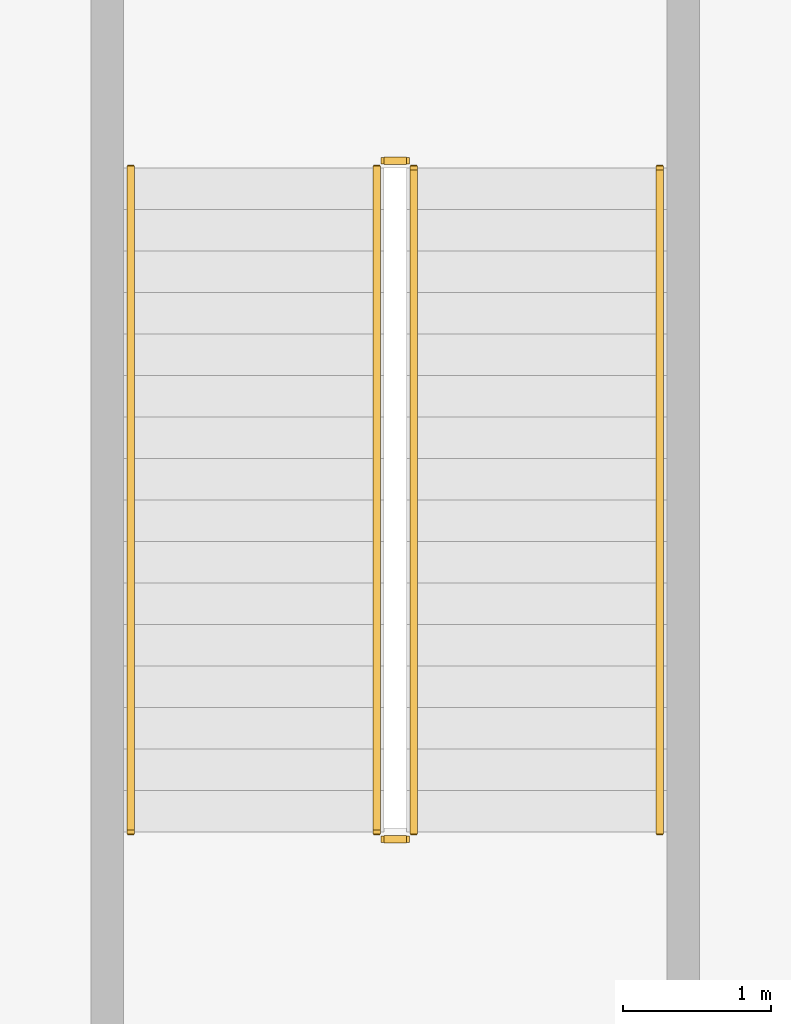
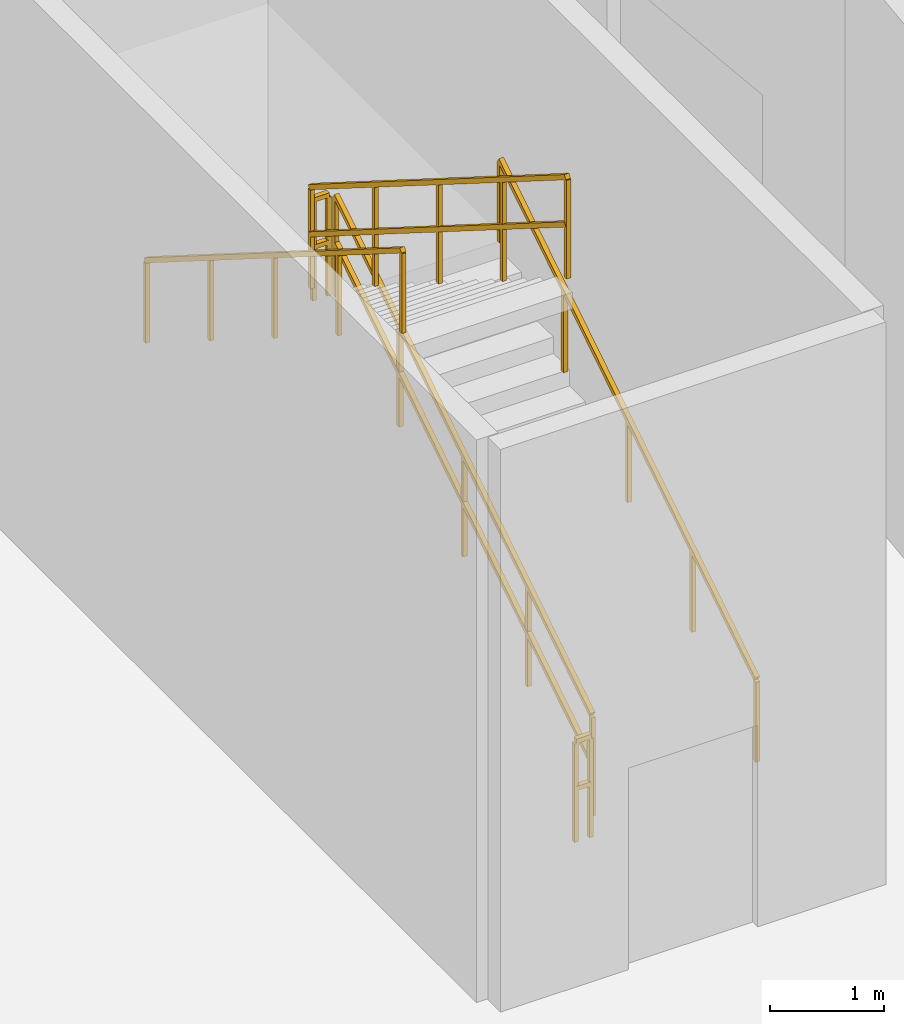
# One storey, part 10 of 10: 6 railings.
"""IFC4 building model written with IfcOpenShell, lengths in metres."""

from ifc_helpers import new_model, si_unit, direction, frame, origin, origin_2d, place, context, subcontext, project, spatial, rectangle, extrude, material, type_object, element, save


model = new_model("IFC4")

# Units and contexts
model_context = context("Model", 3, precision=1e-05, world=origin(), true_north=direction((0.0, 1.0)))
body_context = subcontext(model_context, "Body", "Model", "MODEL_VIEW")
ifc_project = project(units=[si_unit("LENGTHUNIT", "METRE"), si_unit("AREAUNIT", "SQUARE_METRE"), si_unit("VOLUMEUNIT", "CUBIC_METRE"), si_unit("PLANEANGLEUNIT", "RADIAN"), si_unit("MASSUNIT", "GRAM", prefix="KILO")], contexts=[model_context])

# Site, building, storey
site_placement = place(None, origin())
site = spatial("IfcSite", under=ifc_project, at=site_placement, CompositionType="ELEMENT")
building_placement = place(site_placement, origin())
building = spatial("IfcBuilding", under=site, at=building_placement, Name="Breltana Convention Tower", CompositionType="ELEMENT")
storey_placement = place(building_placement, frame((0.0, 0.0, 12.0)))
storey = spatial("IfcBuildingStorey", under=building, at=storey_placement, Name="L02", CompositionType="ELEMENT", Elevation=12.0)

# Railings
ifc_material_1 = material(Name="Steel S275 Painted", Category="steel")
railing_type_1 = type_object("IfcRailingType", Name="RL-STAIR-GUARD-1100", PredefinedType="GUARDRAIL", material=ifc_material_1)
railing_1_placement = place(storey_placement, frame((88.7900390625, 38.56005859375, 0.176513671875)))
element("IfcRailing", 1, at=railing_1_placement, inside=storey, type_object=railing_type_1, Name="L02 ST-4 stair guard 1", PredefinedType="GUARDRAIL", context=body_context, shape_type="SweptSolid", body=[
    extrude(rectangle(XDim=0.048095703125, YDim=0.048095703125, at=origin_2d()), frame((0.0, 0.0, 1.076171875), z_axis=(0.0, 0.845997938375, 0.533186166611), x_axis=(-1.0, 0.0, 0.0)), (0.0, 0.0, 1.0), 5.29541015625),
    extrude(rectangle(XDim=0.048095703125, YDim=0.048095703125, at=origin_2d()), frame((0.0, 0.0, 0.572021484375), z_axis=(0.0, 0.845997938375, 0.533186166611), x_axis=(-1.0, 0.0, 0.0)), (0.0, 0.0, 1.0), 5.29541015625),
    extrude(rectangle(XDim=0.0419921875, YDim=0.0419921875, at=origin_2d()), origin(), (0.0, 0.0, 1.0), 1.052001953125),
    extrude(rectangle(XDim=0.0419921875, YDim=0.0419921875, at=origin_2d()), frame((0.0, 1.1201171875, 0.705810546875)), (0.0, 0.0, 1.0), 1.052001953125),
    extrude(rectangle(XDim=0.0419921875, YDim=0.0419921875, at=origin_2d()), frame((0.0, 2.239990234375, 1.41162109375)), (0.0, 0.0, 1.0), 1.052001953125),
    extrude(rectangle(XDim=0.0419921875, YDim=0.0419921875, at=origin_2d()), frame((0.0, 3.35986328125, 2.11767578125)), (0.0, 0.0, 1.0), 1.052001953125),
    extrude(rectangle(XDim=0.0419921875, YDim=0.0419921875, at=origin_2d()), frame((0.0, 4.47998046875, 2.823486328125)), (0.0, 0.0, 1.0), 1.052001953125),
])
railing_2_placement = place(storey_placement, frame((88.739990234375, 43.090087890625, 3.0)))
element("IfcRailing", 2, at=railing_2_placement, inside=storey, type_object=railing_type_1, Name="L02 ST-4 stair guard 2", PredefinedType="GUARDRAIL", context=body_context, shape_type="SweptSolid", body=[
    extrude(rectangle(XDim=0.048095703125, YDim=0.048095703125, at=origin_2d()), frame((0.0, 0.0, 1.076171875), z_axis=(-1.0, 0.0, 0.0), x_axis=(0.0, -1.0, 0.0)), (0.0, 0.0, 1.0), 0.14990234375),
    extrude(rectangle(XDim=0.048095703125, YDim=0.048095703125, at=origin_2d()), frame((0.0, 0.0, 0.572021484375), z_axis=(-1.0, 0.0, 0.0), x_axis=(0.0, -1.0, 0.0)), (0.0, 0.0, 1.0), 0.14990234375),
    extrude(rectangle(XDim=0.0419921875, YDim=0.0419921875, at=origin_2d()), origin(), (0.0, 0.0, 1.0), 1.052001953125),
    extrude(rectangle(XDim=0.0419921875, YDim=0.0419921875, at=origin_2d()), frame((-0.14990234375, 0.0, 0.0)), (0.0, 0.0, 1.0), 1.052001953125),
])
railing_3_placement = place(storey_placement, frame((88.5400390625, 43.0400390625, 3.176513671875)))
element("IfcRailing", 3, at=railing_3_placement, inside=storey, type_object=railing_type_1, Name="L02 ST-4 stair guard 3", PredefinedType="GUARDRAIL", context=body_context, shape_type="SweptSolid", body=[
    extrude(rectangle(XDim=0.048095703125, YDim=0.048095703125, at=origin_2d()), frame((0.0, 0.0, 1.076171875), z_axis=(0.0, -0.845997938375, 0.533186166611), x_axis=(1.0, 0.0, 0.0)), (0.0, 0.0, 1.0), 5.29541015625),
    extrude(rectangle(XDim=0.048095703125, YDim=0.048095703125, at=origin_2d()), frame((0.0, 0.0, 0.572021484375), z_axis=(0.0, -0.845997938375, 0.533186166611), x_axis=(1.0, 0.0, 0.0)), (0.0, 0.0, 1.0), 5.29541015625),
    extrude(rectangle(XDim=0.0419921875, YDim=0.0419921875, at=origin_2d()), origin(), (0.0, 0.0, 1.0), 1.052001953125),
    extrude(rectangle(XDim=0.0419921875, YDim=0.0419921875, at=origin_2d()), frame((0.0, -1.1201171875, 0.705810546875)), (0.0, 0.0, 1.0), 1.052001953125),
    extrude(rectangle(XDim=0.0419921875, YDim=0.0419921875, at=origin_2d()), frame((0.0, -2.239990234375, 1.41162109375)), (0.0, 0.0, 1.0), 1.052001953125),
    extrude(rectangle(XDim=0.0419921875, YDim=0.0419921875, at=origin_2d()), frame((0.0, -3.35986328125, 2.11767578125)), (0.0, 0.0, 1.0), 1.052001953125),
    extrude(rectangle(XDim=0.0419921875, YDim=0.0419921875, at=origin_2d()), frame((0.0, -4.47998046875, 2.823486328125)), (0.0, 0.0, 1.0), 1.052001953125),
])
railing_4_placement = place(storey_placement, frame((88.739990234375, 38.510009765625, 0.0)))
element("IfcRailing", 4, at=railing_4_placement, inside=storey, type_object=railing_type_1, Name="L02 ST-4 stair guard 4", PredefinedType="GUARDRAIL", context=body_context, shape_type="SweptSolid", body=[
    extrude(rectangle(XDim=0.048095703125, YDim=0.048095703125, at=origin_2d()), frame((0.0, 0.0, 1.076171875), z_axis=(-1.0, 0.0, 0.0), x_axis=(0.0, -1.0, 0.0)), (0.0, 0.0, 1.0), 0.14990234375),
    extrude(rectangle(XDim=0.048095703125, YDim=0.048095703125, at=origin_2d()), frame((0.0, 0.0, 0.572021484375), z_axis=(-1.0, 0.0, 0.0), x_axis=(0.0, -1.0, 0.0)), (0.0, 0.0, 1.0), 0.14990234375),
    extrude(rectangle(XDim=0.0419921875, YDim=0.0419921875, at=origin_2d()), origin(), (0.0, 0.0, 1.0), 1.052001953125),
    extrude(rectangle(XDim=0.0419921875, YDim=0.0419921875, at=origin_2d()), frame((-0.14990234375, 0.0, 0.0)), (0.0, 0.0, 1.0), 1.052001953125),
])
ifc_material_2 = material(Name="Stainless Steel 316L", Category="steel")
railing_type_2 = type_object("IfcRailingType", Name="RL-STAIR-HANDRAIL-900", PredefinedType="HANDRAIL", material=ifc_material_2)
railing_5_placement = place(storey_placement, frame((90.449951171875, 38.56005859375, 0.176513671875)))
element("IfcRailing", 5, at=railing_5_placement, inside=storey, type_object=railing_type_2, Name="L02 ST-4 stair handrail 1", PredefinedType="HANDRAIL", context=body_context, shape_type="SweptSolid", body=[
    extrude(rectangle(XDim=0.048095703125, YDim=0.048095703125, at=origin_2d()), frame((0.0, 0.0, 0.8759765625), z_axis=(0.0, 0.845997938375, 0.533186166611), x_axis=(-1.0, 0.0, 0.0)), (0.0, 0.0, 1.0), 5.29541015625),
    extrude(rectangle(XDim=0.0419921875, YDim=0.0419921875, at=origin_2d()), origin(), (0.0, 0.0, 1.0), 0.851806640625),
    extrude(rectangle(XDim=0.0419921875, YDim=0.0419921875, at=origin_2d()), frame((0.0, 1.1201171875, 0.705810546875)), (0.0, 0.0, 1.0), 0.851806640625),
    extrude(rectangle(XDim=0.0419921875, YDim=0.0419921875, at=origin_2d()), frame((0.0, 2.239990234375, 1.41162109375)), (0.0, 0.0, 1.0), 0.851806640625),
    extrude(rectangle(XDim=0.0419921875, YDim=0.0419921875, at=origin_2d()), frame((0.0, 3.35986328125, 2.11767578125)), (0.0, 0.0, 1.0), 0.851806640625),
    extrude(rectangle(XDim=0.0419921875, YDim=0.0419921875, at=origin_2d()), frame((0.0, 4.47998046875, 2.823486328125)), (0.0, 0.0, 1.0), 0.851806640625),
])
railing_6_placement = place(storey_placement, frame((86.8798828125, 43.0400390625, 3.176513671875)))
element("IfcRailing", 6, at=railing_6_placement, inside=storey, type_object=railing_type_2, Name="L02 ST-4 stair handrail 2", PredefinedType="HANDRAIL", context=body_context, shape_type="SweptSolid", body=[
    extrude(rectangle(XDim=0.048095703125, YDim=0.048095703125, at=origin_2d()), frame((0.0, 0.0, 0.8759765625), z_axis=(0.0, -0.845997938375, 0.533186166611), x_axis=(1.0, 0.0, 0.0)), (0.0, 0.0, 1.0), 5.29541015625),
    extrude(rectangle(XDim=0.0419921875, YDim=0.0419921875, at=origin_2d()), origin(), (0.0, 0.0, 1.0), 0.851806640625),
    extrude(rectangle(XDim=0.0419921875, YDim=0.0419921875, at=origin_2d()), frame((0.0, -1.1201171875, 0.705810546875)), (0.0, 0.0, 1.0), 0.851806640625),
    extrude(rectangle(XDim=0.0419921875, YDim=0.0419921875, at=origin_2d()), frame((0.0, -2.239990234375, 1.41162109375)), (0.0, 0.0, 1.0), 0.851806640625),
    extrude(rectangle(XDim=0.0419921875, YDim=0.0419921875, at=origin_2d()), frame((0.0, -3.35986328125, 2.11767578125)), (0.0, 0.0, 1.0), 0.851806640625),
    extrude(rectangle(XDim=0.0419921875, YDim=0.0419921875, at=origin_2d()), frame((0.0, -4.47998046875, 2.823486328125)), (0.0, 0.0, 1.0), 0.851806640625),
])

save(model, "model.ifc")
